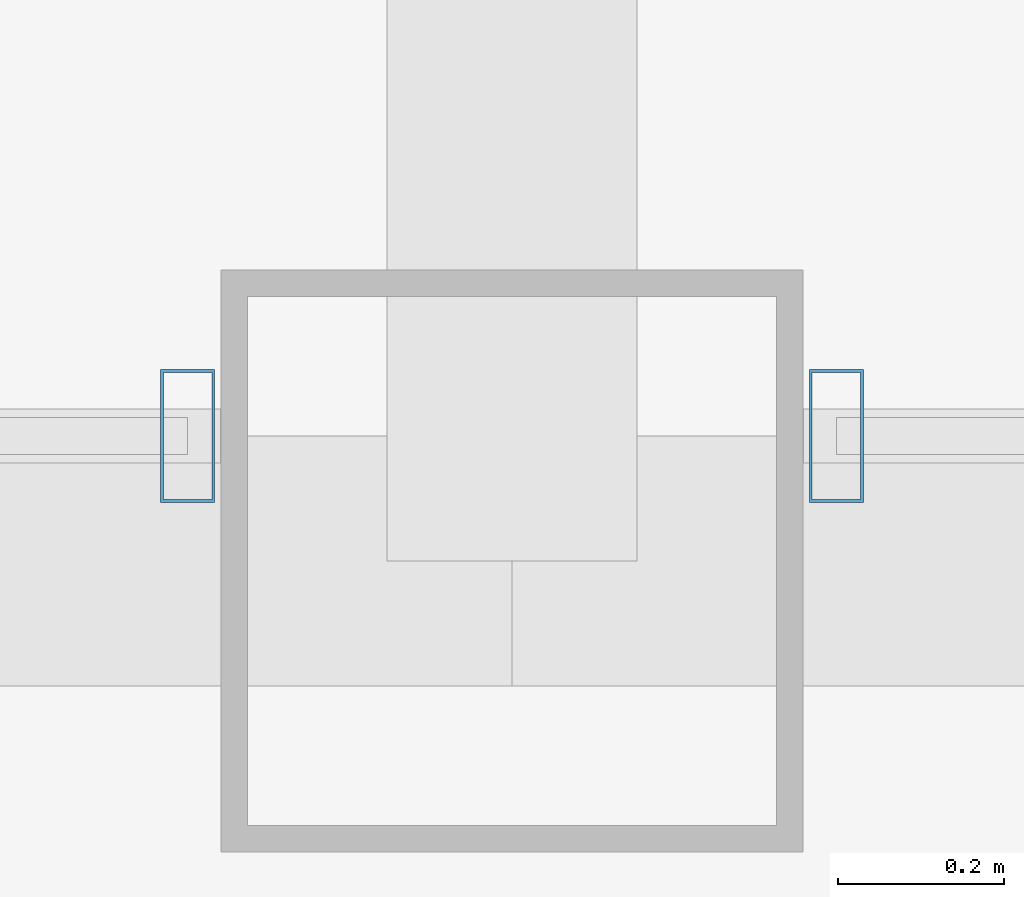
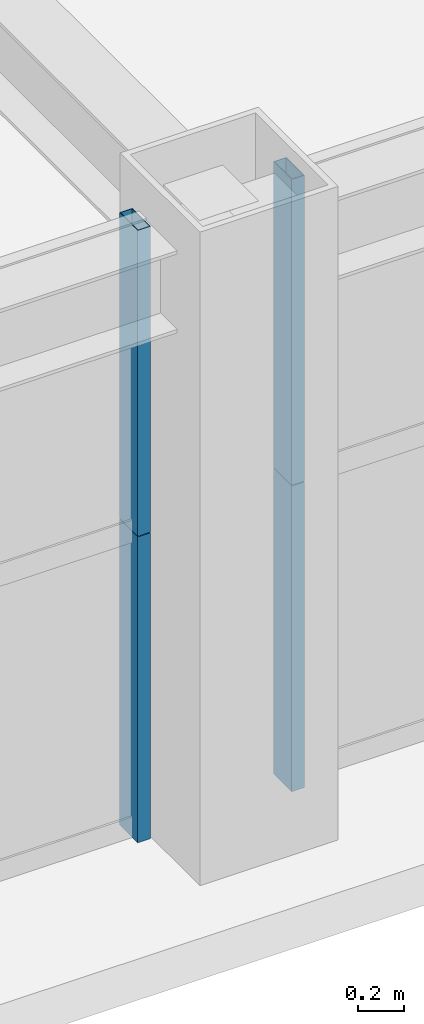
# One storey, part 10 of 37: 4 members, 2 elements without a shape of their own.
"""IFC4 building model written with IfcOpenShell, lengths in metres."""

import ifcopenshell
import ifcopenshell.guid

model = None  # the IFC model being written
_history = None  # IfcOwnerHistory: only IFC2X3 demands one
_inside = {}  # id of a spatial element -> (the spatial element, [elements in it])
_under = {}  # id of a project, library or spatial element -> (it, [spatial elements below it])
_declared = {}  # id of a project -> (the project, [libraries it declares])
_typed = {}  # id of a type object -> (the type object, [elements of that type])
_made_of = {}  # id of a material, layer set ... -> (it, [elements and type objects made of it])


def new_model(schema):
    """Start an empty IFC model of exactly this schema.

    Asked for "IFC4X3", IfcOpenShell would pick the latest addendum, in which some entities
    have other attributes; the version numbers below select the first issue.
    IFC2X3 requires an IfcOwnerHistory on every rooted entity: one is made here for all.
    """
    global model, _history
    if schema == "IFC4X3":
        model = ifcopenshell.file(schema_version=(4, 3, 0, 0))
    else:
        model = ifcopenshell.file(schema=schema)
    _inside.clear()
    _under.clear()
    _declared.clear()
    _typed.clear()
    _made_of.clear()
    _history = None
    if model.schema == "IFC2X3":
        org = make("IfcOrganization", Name="unknown")
        user = make(
            "IfcPersonAndOrganization",
            ThePerson=make("IfcPerson", FamilyName="unknown"),
            TheOrganization=org,
        )
        app = make(
            "IfcApplication",
            ApplicationDeveloper=org,
            Version="unknown",
            ApplicationFullName="unknown",
            ApplicationIdentifier="unknown",
        )
        _history = make(
            "IfcOwnerHistory",
            OwningUser=user,
            OwningApplication=app,
            ChangeAction="ADDED",
            CreationDate=0,
        )
    return model


def make(cls, **values):
    """One entity of the class cls with the attributes given. An attribute that is None is left unset."""
    return model.create_entity(
        cls, **{name: value for name, value in values.items() if value is not None}
    )


def rooted(cls, **values):
    """An entity with a GlobalId (a new one), such as an element, a storey or a relation."""
    return make(cls, GlobalId=ifcopenshell.guid.new(), OwnerHistory=_history, **values)


def si_unit(unit_type, name, prefix=None):
    """IfcSIUnit, for example si_unit("LENGTHUNIT", "METRE", prefix="MILLI")."""
    return make("IfcSIUnit", UnitType=unit_type, Prefix=prefix, Name=name)


def assignment(units):
    """IfcUnitAssignment: the units of a project."""
    return None if units is None else make("IfcUnitAssignment", Units=units)


def point(xyz):
    """IfcCartesianPoint."""
    return None if xyz is None else make("IfcCartesianPoint", Coordinates=xyz)


def direction(xyz):
    """IfcDirection."""
    return None if xyz is None else make("IfcDirection", DirectionRatios=xyz)


def frame(location, z_axis=None, x_axis=None):
    """IfcAxis2Placement3D, a coordinate frame: its origin and axes. An axis left out is left unset."""
    return make(
        "IfcAxis2Placement3D",
        Location=point(location),
        Axis=direction(z_axis),
        RefDirection=direction(x_axis),
    )


def frame_2d(location, x_axis=None):
    """IfcAxis2Placement2D, a coordinate frame in the plane: its origin and x axis."""
    return make(
        "IfcAxis2Placement2D", Location=point(location), RefDirection=direction(x_axis)
    )


def origin():
    """The frame at (0, 0, 0) with its axes left unset."""
    return frame((0.0, 0.0, 0.0))


def origin_2d():
    """The frame at (0, 0) in the plane with its x axis left unset."""
    return frame_2d((0.0, 0.0))


def place(relative_to, where):
    """IfcLocalPlacement: puts the frame where relative to a parent placement (None: the world)."""
    return make(
        "IfcLocalPlacement", PlacementRelTo=relative_to, RelativePlacement=where
    )


def context(
    kind, dimensions, precision=None, world=None, true_north=None, identifier=None
):
    """IfcGeometricRepresentationContext, for example the 3D "Model" context."""
    return make(
        "IfcGeometricRepresentationContext",
        ContextIdentifier=identifier,
        ContextType=kind,
        CoordinateSpaceDimension=dimensions,
        Precision=precision,
        WorldCoordinateSystem=world,
        TrueNorth=true_north,
    )


def subcontext(parent, identifier, kind, view, scale=None):
    """IfcGeometricRepresentationSubContext, for example "Body" below "Model"."""
    return make(
        "IfcGeometricRepresentationSubContext",
        ContextIdentifier=identifier,
        ContextType=kind,
        ParentContext=parent,
        TargetScale=scale,
        TargetView=view,
    )


def project(units=None, contexts=None):
    """IfcProject with its units and contexts."""
    return rooted(
        "IfcProject",
        Name="project",
        RepresentationContexts=contexts,
        UnitsInContext=assignment(units),
    )


def spatial(cls, under=None, at=None, **own):
    """A site, building, storey or space (cls), placed at a placement, below another one or the project."""
    s = rooted(cls, ObjectPlacement=at, **own)
    if under is not None:
        _under.setdefault(under.id(), (under, []))[1].append(s)
    return s


def profile(cls, at=None, kind="AREA", **sizes):
    """A parametric profile (cls). Its sizes go by their IFC names, for example OverallWidth=200.0."""
    return make(cls, ProfileType=kind, Position=at, **sizes)


def hollow_rectangle(**sizes):
    """IfcRectangleHollowProfileDef."""
    return profile("IfcRectangleHollowProfileDef", **sizes)


def extrude(swept, where, along, depth):
    """IfcExtrudedAreaSolid: the profile swept, set in the frame where, extruded along a direction by depth."""
    return make(
        "IfcExtrudedAreaSolid",
        SweptArea=swept,
        Position=where,
        ExtrudedDirection=direction(along),
        Depth=depth,
    )


def shape(context_of_items, identifier, shape_type, items):
    """IfcShapeRepresentation: the items that make up one representation, for example the "Body"."""
    return make(
        "IfcShapeRepresentation",
        ContextOfItems=context_of_items,
        RepresentationIdentifier=identifier,
        RepresentationType=shape_type,
        Items=items,
    )


def source(mapping_origin, context_of_items, identifier, shape_type, items):
    """IfcRepresentationMap: a shape defined once, which mapped items show again and again."""
    return make(
        "IfcRepresentationMap",
        MappingOrigin=mapping_origin,
        MappedRepresentation=shape(context_of_items, identifier, shape_type, items),
    )


def transform(
    local_origin,
    x_axis=None,
    y_axis=None,
    z_axis=None,
    scale=None,
    scale2=None,
    scale3=None,
    uniform=True,
):
    """IfcCartesianTransformationOperator3D, or its non-uniform kind. x_axis, y_axis, z_axis: its Axis1, 2, 3."""
    if uniform:
        return make(
            "IfcCartesianTransformationOperator3D",
            Axis1=direction(x_axis),
            Axis2=direction(y_axis),
            LocalOrigin=point(local_origin),
            Scale=scale,
            Axis3=direction(z_axis),
        )
    return make(
        "IfcCartesianTransformationOperator3DnonUniform",
        Axis1=direction(x_axis),
        Axis2=direction(y_axis),
        LocalOrigin=point(local_origin),
        Scale=scale,
        Axis3=direction(z_axis),
        Scale2=scale2,
        Scale3=scale3,
    )


def mapped(mapping_source, mapping_target):
    """IfcMappedItem: shows the shape of a source again, moved by a transform."""
    return make(
        "IfcMappedItem", MappingSource=mapping_source, MappingTarget=mapping_target
    )


def material(Name=None, Category=None):
    """IfcMaterial."""
    return make("IfcMaterial", Name=Name, Category=Category)


def layer(
    of_material, thickness, ventilated=None, Name=None, Category=None, Priority=None
):
    """IfcMaterialLayer: one layer of a wall or slab, of a material (None: an air gap)."""
    return make(
        "IfcMaterialLayer",
        Material=of_material,
        LayerThickness=thickness,
        IsVentilated=ventilated,
        Name=Name,
        Category=Category,
        Priority=Priority,
    )


def layer_set(layers, Name=None):
    """IfcMaterialLayerSet."""
    return make("IfcMaterialLayerSet", MaterialLayers=layers, LayerSetName=Name)


def material_profile(
    of_material, cross_section, Name=None, Category=None, Priority=None
):
    """IfcMaterialProfile: a cross section and its material."""
    return make(
        "IfcMaterialProfile",
        Name=Name,
        Material=of_material,
        Profile=cross_section,
        Priority=Priority,
        Category=Category,
    )


def profile_set(profiles, Name=None, composite=None):
    """IfcMaterialProfileSet."""
    return make(
        "IfcMaterialProfileSet",
        Name=Name,
        MaterialProfiles=profiles,
        CompositeProfile=composite,
    )


def made_of(thing, what):
    """Note that an element or type object is made of a material, layer set ...; save() writes the relation."""
    if what is not None:
        _made_of.setdefault(what.id(), (what, []))[1].append(thing)
    return thing


def type_object(cls, material=None, **own):
    """A type object (cls), such as IfcWallType, which elements share."""
    return made_of(rooted(cls, **own), material)


def element(
    cls,
    number,
    at=None,
    inside=None,
    cuts=None,
    type_object=None,
    material=None,
    context=None,
    identifier="Body",
    shape_type=None,
    held_by="IfcProductDefinitionShape",
    body=None,
    shapes=None,
    **own,
):
    """One element of the class cls, such as IfcWall. Its Tag is "e" and its number.

    at: its placement. inside: the storey or other place that contains it. cuts: it is an
    opening in that element (IfcRelVoidsElement). A single representation is given by context,
    identifier, shape_type and body (its items); several are given by shapes. held_by: the class
    of the entity that holds the representations. save() writes the other relations.
    """
    e = rooted(cls, Tag="e%d" % number, ObjectPlacement=at, **own)
    if body is not None:
        shapes = [shape(context, identifier, shape_type, body)]
    if shapes is not None:
        e.Representation = make(held_by, Representations=shapes)
    if inside is not None:
        _inside.setdefault(inside.id(), (inside, []))[1].append(e)
    if cuts is not None:
        rooted(
            "IfcRelVoidsElement", RelatingBuildingElement=cuts, RelatedOpeningElement=e
        )
    if type_object is not None:
        _typed.setdefault(type_object.id(), (type_object, []))[1].append(e)
    return made_of(e, material)


def aggregate(whole, parts):
    """IfcRelAggregates: a whole, such as a stair, and the parts it consists of."""
    return rooted("IfcRelAggregates", RelatingObject=whole, RelatedObjects=parts)


def save(model, path):
    """Write the relations noted so far, then the file.

    IfcRelAggregates (storeys below a building ...), IfcRelContainedInSpatialStructure (elements
    in a storey), IfcRelDefinesByType, IfcRelAssociatesMaterial and IfcRelDeclares: one each for
    every whole, place, type object, material and project.
    """
    for whole, parts in _under.values():
        aggregate(whole, parts)
    for where, things in _inside.values():
        rooted(
            "IfcRelContainedInSpatialStructure",
            RelatedElements=things,
            RelatingStructure=where,
        )
    for kind, things in _typed.values():
        rooted("IfcRelDefinesByType", RelatedObjects=things, RelatingType=kind)
    for what, things in _made_of.values():
        rooted("IfcRelAssociatesMaterial", RelatedObjects=things, RelatingMaterial=what)
    for by, libraries in _declared.values():
        rooted("IfcRelDeclares", RelatingContext=by, RelatedDefinitions=libraries)
    model.write(path)


model = new_model("IFC4")

# Units and contexts
model_context = context("Model", 3, precision=1e-05, world=origin(), true_north=direction((0.0, 1.0)))
body_context = subcontext(model_context, "Body", "Model", "MODEL_VIEW")
ifc_project = project(units=[si_unit("LENGTHUNIT", "METRE"), si_unit("AREAUNIT", "SQUARE_METRE"), si_unit("VOLUMEUNIT", "CUBIC_METRE"), si_unit("PLANEANGLEUNIT", "RADIAN"), si_unit("MASSUNIT", "GRAM", prefix="KILO"), si_unit("THERMODYNAMICTEMPERATUREUNIT", "KELVIN"), si_unit("POWERUNIT", "WATT")], contexts=[model_context])

# Site, building, storey
site_placement = place(None, origin())
site = spatial("IfcSite", under=ifc_project, at=site_placement, CompositionType="ELEMENT")
building_placement = place(site_placement, origin())
building = spatial("IfcBuilding", under=site, at=building_placement, Name="Yuzanri Waterfront Tower", CompositionType="ELEMENT")
storey_placement = place(building_placement, frame((0.0, 0.0, 268.10009765625)))
storey = spatial("IfcBuildingStorey", under=building, at=storey_placement, Name="L71", CompositionType="ELEMENT", Elevation=268.10009765625)

# Curtain wall, members
ifc_material_1 = material(Name="Anodized Architectural Bronze", Category="metal")
ifc_layer = layer(ifc_material_1, 0.159912109375)
ifc_layer_set = layer_set([ifc_layer], Name="Anodized Architectural Bronze")
curtain_wall_type = type_object("IfcCurtainWallType", Name="Anodized Bronze Mid-Rise Residential Acoustic Unitized Curtain Wall 7200", PredefinedType="NOTDEFINED", material=ifc_layer_set)
curtain_wall_1_placement = place(storey_placement, origin())
curtain_wall_1 = element("IfcCurtainWall", 1, at=curtain_wall_1_placement, inside=storey, type_object=curtain_wall_type, Name="L71 Curtain Wall CW-L71-SL", PredefinedType="NOTDEFINED")
ifc_material_2 = material(Name="Anodized Architectural Bronze", Category="metal")
ifc_material_profile = material_profile(ifc_material_2, hollow_rectangle(XDim=0.06494140625, YDim=0.159912109375, WallThickness=0.00341796875, at=origin_2d()), Name="CWM 65x160")
ifc_profile_set = profile_set([ifc_material_profile], Name="Anodized Architectural Bronze")
member_type = type_object("IfcMemberType", Name="Anodized Bronze Upper-Zone Curtain-Wall Mullion 65x160", PredefinedType="MULLION", material=ifc_profile_set)
shared_shape = source(origin(), body_context, "Body", "SweptSolid", [
    extrude(hollow_rectangle(XDim=0.06494140625, YDim=0.159912109375, WallThickness=0.00341796875, at=origin_2d()), origin(), (0.0, 0.0, 1.0), 1.637939453125),
])
member_1_placement = place(storey_placement, frame((36.610107421875, 5.35009765625, 0.0), z_axis=(0.0, 0.0, 1.0), x_axis=(1.0, 0.0, 0.0)))
member_1 = element("IfcMember", 2, at=member_1_placement, type_object=member_type, Name="CW-L71-SL Lower Mullion 02", PredefinedType="MULLION", context=body_context, shape_type="MappedRepresentation", body=[
    mapped(shared_shape, transform((0.0, 0.0, 0.0), scale=1.0)),
])
member_2_placement = place(storey_placement, frame((36.610107421875, 5.35009765625, 1.641845703125), z_axis=(0.0, 0.0, 1.0), x_axis=(1.0, 0.0, 0.0)))
member_2 = element("IfcMember", 3, at=member_2_placement, type_object=member_type, Name="CW-L71-SL Upper Mullion 02", PredefinedType="MULLION", context=body_context, shape_type="MappedRepresentation", body=[
    mapped(shared_shape, transform((0.0, 0.0, 0.0), scale=1.0)),
])
aggregate(curtain_wall_1, [member_1, member_2])

curtain_wall_2_placement = place(storey_placement, origin())
curtain_wall_2 = element("IfcCurtainWall", 4, at=curtain_wall_2_placement, inside=storey, type_object=curtain_wall_type, Name="L71 Curtain Wall CW-L71-SR", PredefinedType="NOTDEFINED")
member_3_placement = place(storey_placement, frame((37.389892578125, 5.35009765625, 0.0), z_axis=(0.0, 0.0, 1.0), x_axis=(1.0, 0.0, 0.0)))
member_3 = element("IfcMember", 5, at=member_3_placement, type_object=member_type, Name="CW-L71-SR Lower Mullion 00", PredefinedType="MULLION", context=body_context, shape_type="MappedRepresentation", body=[
    mapped(shared_shape, transform((0.0, 0.0, 0.0), scale=1.0)),
])
member_4_placement = place(storey_placement, frame((37.389892578125, 5.35009765625, 1.641845703125), z_axis=(0.0, 0.0, 1.0), x_axis=(1.0, 0.0, 0.0)))
member_4 = element("IfcMember", 6, at=member_4_placement, type_object=member_type, Name="CW-L71-SR Upper Mullion 00", PredefinedType="MULLION", context=body_context, shape_type="MappedRepresentation", body=[
    mapped(shared_shape, transform((0.0, 0.0, 0.0), scale=1.0)),
])
aggregate(curtain_wall_2, [member_3, member_4])

save(model, "model.ifc")
